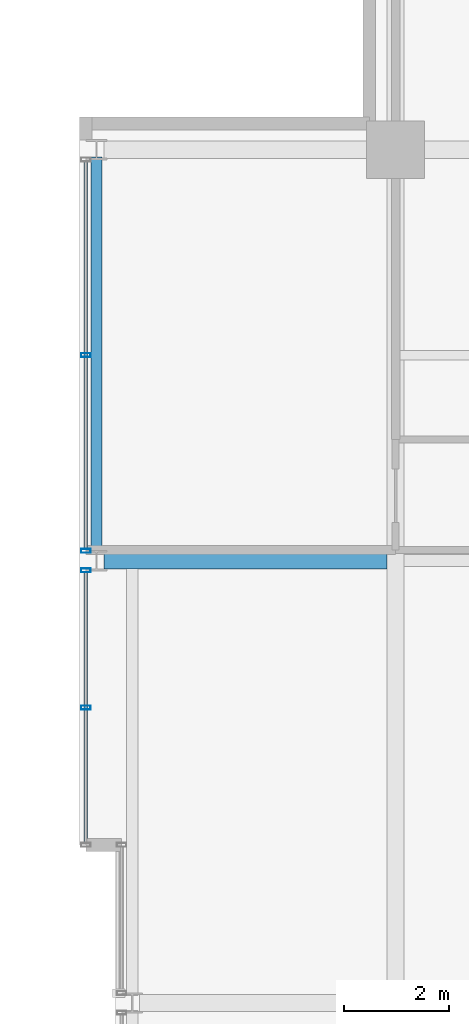
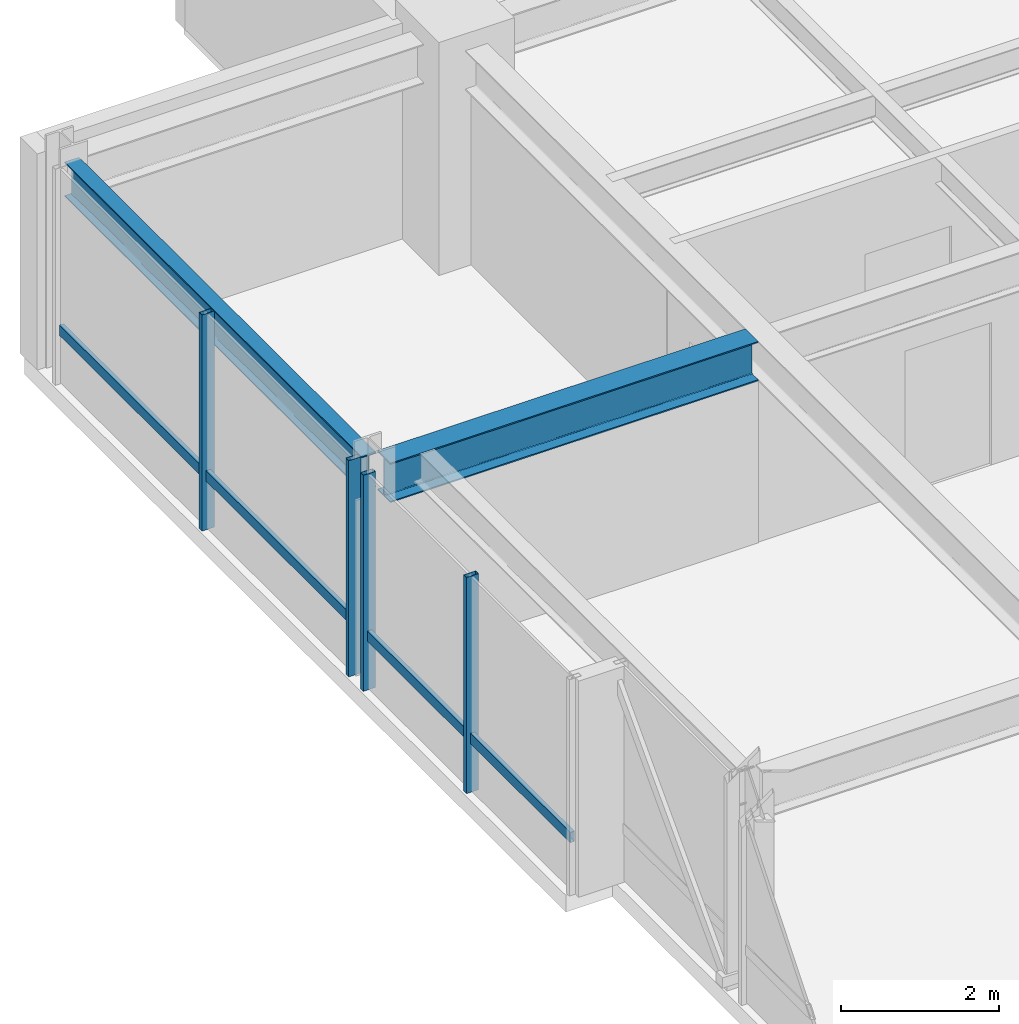
# One storey, part 17 of 32: 6 members, 2 beams, 2 elements without a shape of their own.
"""IFC4 building model written with IfcOpenShell, lengths in metres."""

import ifcopenshell
import ifcopenshell.guid

model = None  # the IFC model being written
_history = None  # IfcOwnerHistory: only IFC2X3 demands one
_inside = {}  # id of a spatial element -> (the spatial element, [elements in it])
_under = {}  # id of a project, library or spatial element -> (it, [spatial elements below it])
_declared = {}  # id of a project -> (the project, [libraries it declares])
_typed = {}  # id of a type object -> (the type object, [elements of that type])
_made_of = {}  # id of a material, layer set ... -> (it, [elements and type objects made of it])


def new_model(schema):
    """Start an empty IFC model of exactly this schema.

    Asked for "IFC4X3", IfcOpenShell would pick the latest addendum, in which some entities
    have other attributes; the version numbers below select the first issue.
    IFC2X3 requires an IfcOwnerHistory on every rooted entity: one is made here for all.
    """
    global model, _history
    if schema == "IFC4X3":
        model = ifcopenshell.file(schema_version=(4, 3, 0, 0))
    else:
        model = ifcopenshell.file(schema=schema)
    _inside.clear()
    _under.clear()
    _declared.clear()
    _typed.clear()
    _made_of.clear()
    _history = None
    if model.schema == "IFC2X3":
        org = make("IfcOrganization", Name="unknown")
        user = make(
            "IfcPersonAndOrganization",
            ThePerson=make("IfcPerson", FamilyName="unknown"),
            TheOrganization=org,
        )
        app = make(
            "IfcApplication",
            ApplicationDeveloper=org,
            Version="unknown",
            ApplicationFullName="unknown",
            ApplicationIdentifier="unknown",
        )
        _history = make(
            "IfcOwnerHistory",
            OwningUser=user,
            OwningApplication=app,
            ChangeAction="ADDED",
            CreationDate=0,
        )
    return model


def make(cls, **values):
    """One entity of the class cls with the attributes given. An attribute that is None is left unset."""
    return model.create_entity(
        cls, **{name: value for name, value in values.items() if value is not None}
    )


def rooted(cls, **values):
    """An entity with a GlobalId (a new one), such as an element, a storey or a relation."""
    return make(cls, GlobalId=ifcopenshell.guid.new(), OwnerHistory=_history, **values)


def si_unit(unit_type, name, prefix=None):
    """IfcSIUnit, for example si_unit("LENGTHUNIT", "METRE", prefix="MILLI")."""
    return make("IfcSIUnit", UnitType=unit_type, Prefix=prefix, Name=name)


def assignment(units):
    """IfcUnitAssignment: the units of a project."""
    return None if units is None else make("IfcUnitAssignment", Units=units)


def point(xyz):
    """IfcCartesianPoint."""
    return None if xyz is None else make("IfcCartesianPoint", Coordinates=xyz)


def direction(xyz):
    """IfcDirection."""
    return None if xyz is None else make("IfcDirection", DirectionRatios=xyz)


def frame(location, z_axis=None, x_axis=None):
    """IfcAxis2Placement3D, a coordinate frame: its origin and axes. An axis left out is left unset."""
    return make(
        "IfcAxis2Placement3D",
        Location=point(location),
        Axis=direction(z_axis),
        RefDirection=direction(x_axis),
    )


def frame_2d(location, x_axis=None):
    """IfcAxis2Placement2D, a coordinate frame in the plane: its origin and x axis."""
    return make(
        "IfcAxis2Placement2D", Location=point(location), RefDirection=direction(x_axis)
    )


def origin():
    """The frame at (0, 0, 0) with its axes left unset."""
    return frame((0.0, 0.0, 0.0))


def origin_2d():
    """The frame at (0, 0) in the plane with its x axis left unset."""
    return frame_2d((0.0, 0.0))


def place(relative_to, where):
    """IfcLocalPlacement: puts the frame where relative to a parent placement (None: the world)."""
    return make(
        "IfcLocalPlacement", PlacementRelTo=relative_to, RelativePlacement=where
    )


def context(
    kind, dimensions, precision=None, world=None, true_north=None, identifier=None
):
    """IfcGeometricRepresentationContext, for example the 3D "Model" context."""
    return make(
        "IfcGeometricRepresentationContext",
        ContextIdentifier=identifier,
        ContextType=kind,
        CoordinateSpaceDimension=dimensions,
        Precision=precision,
        WorldCoordinateSystem=world,
        TrueNorth=true_north,
    )


def subcontext(parent, identifier, kind, view, scale=None):
    """IfcGeometricRepresentationSubContext, for example "Body" below "Model"."""
    return make(
        "IfcGeometricRepresentationSubContext",
        ContextIdentifier=identifier,
        ContextType=kind,
        ParentContext=parent,
        TargetScale=scale,
        TargetView=view,
    )


def project(units=None, contexts=None):
    """IfcProject with its units and contexts."""
    return rooted(
        "IfcProject",
        Name="project",
        RepresentationContexts=contexts,
        UnitsInContext=assignment(units),
    )


def spatial(cls, under=None, at=None, **own):
    """A site, building, storey or space (cls), placed at a placement, below another one or the project."""
    s = rooted(cls, ObjectPlacement=at, **own)
    if under is not None:
        _under.setdefault(under.id(), (under, []))[1].append(s)
    return s


def profile(cls, at=None, kind="AREA", **sizes):
    """A parametric profile (cls). Its sizes go by their IFC names, for example OverallWidth=200.0."""
    return make(cls, ProfileType=kind, Position=at, **sizes)


def hollow_rectangle(**sizes):
    """IfcRectangleHollowProfileDef."""
    return profile("IfcRectangleHollowProfileDef", **sizes)


def i_section(**sizes):
    """IfcIShapeProfileDef."""
    return profile("IfcIShapeProfileDef", **sizes)


def extrude(swept, where, along, depth):
    """IfcExtrudedAreaSolid: the profile swept, set in the frame where, extruded along a direction by depth."""
    return make(
        "IfcExtrudedAreaSolid",
        SweptArea=swept,
        Position=where,
        ExtrudedDirection=direction(along),
        Depth=depth,
    )


def shape(context_of_items, identifier, shape_type, items):
    """IfcShapeRepresentation: the items that make up one representation, for example the "Body"."""
    return make(
        "IfcShapeRepresentation",
        ContextOfItems=context_of_items,
        RepresentationIdentifier=identifier,
        RepresentationType=shape_type,
        Items=items,
    )


def material(Name=None, Category=None):
    """IfcMaterial."""
    return make("IfcMaterial", Name=Name, Category=Category)


def layer(
    of_material, thickness, ventilated=None, Name=None, Category=None, Priority=None
):
    """IfcMaterialLayer: one layer of a wall or slab, of a material (None: an air gap)."""
    return make(
        "IfcMaterialLayer",
        Material=of_material,
        LayerThickness=thickness,
        IsVentilated=ventilated,
        Name=Name,
        Category=Category,
        Priority=Priority,
    )


def layer_set(layers, Name=None):
    """IfcMaterialLayerSet."""
    return make("IfcMaterialLayerSet", MaterialLayers=layers, LayerSetName=Name)


def material_profile(
    of_material, cross_section, Name=None, Category=None, Priority=None
):
    """IfcMaterialProfile: a cross section and its material."""
    return make(
        "IfcMaterialProfile",
        Name=Name,
        Material=of_material,
        Profile=cross_section,
        Priority=Priority,
        Category=Category,
    )


def profile_set(profiles, Name=None, composite=None):
    """IfcMaterialProfileSet."""
    return make(
        "IfcMaterialProfileSet",
        Name=Name,
        MaterialProfiles=profiles,
        CompositeProfile=composite,
    )


def made_of(thing, what):
    """Note that an element or type object is made of a material, layer set ...; save() writes the relation."""
    if what is not None:
        _made_of.setdefault(what.id(), (what, []))[1].append(thing)
    return thing


def type_object(cls, material=None, **own):
    """A type object (cls), such as IfcWallType, which elements share."""
    return made_of(rooted(cls, **own), material)


def element(
    cls,
    number,
    at=None,
    inside=None,
    cuts=None,
    type_object=None,
    material=None,
    context=None,
    identifier="Body",
    shape_type=None,
    held_by="IfcProductDefinitionShape",
    body=None,
    shapes=None,
    **own,
):
    """One element of the class cls, such as IfcWall. Its Tag is "e" and its number.

    at: its placement. inside: the storey or other place that contains it. cuts: it is an
    opening in that element (IfcRelVoidsElement). A single representation is given by context,
    identifier, shape_type and body (its items); several are given by shapes. held_by: the class
    of the entity that holds the representations. save() writes the other relations.
    """
    e = rooted(cls, Tag="e%d" % number, ObjectPlacement=at, **own)
    if body is not None:
        shapes = [shape(context, identifier, shape_type, body)]
    if shapes is not None:
        e.Representation = make(held_by, Representations=shapes)
    if inside is not None:
        _inside.setdefault(inside.id(), (inside, []))[1].append(e)
    if cuts is not None:
        rooted(
            "IfcRelVoidsElement", RelatingBuildingElement=cuts, RelatedOpeningElement=e
        )
    if type_object is not None:
        _typed.setdefault(type_object.id(), (type_object, []))[1].append(e)
    return made_of(e, material)


def aggregate(whole, parts):
    """IfcRelAggregates: a whole, such as a stair, and the parts it consists of."""
    return rooted("IfcRelAggregates", RelatingObject=whole, RelatedObjects=parts)


def save(model, path):
    """Write the relations noted so far, then the file.

    IfcRelAggregates (storeys below a building ...), IfcRelContainedInSpatialStructure (elements
    in a storey), IfcRelDefinesByType, IfcRelAssociatesMaterial and IfcRelDeclares: one each for
    every whole, place, type object, material and project.
    """
    for whole, parts in _under.values():
        aggregate(whole, parts)
    for where, things in _inside.values():
        rooted(
            "IfcRelContainedInSpatialStructure",
            RelatedElements=things,
            RelatingStructure=where,
        )
    for kind, things in _typed.values():
        rooted("IfcRelDefinesByType", RelatedObjects=things, RelatingType=kind)
    for what, things in _made_of.values():
        rooted("IfcRelAssociatesMaterial", RelatedObjects=things, RelatingMaterial=what)
    for by, libraries in _declared.values():
        rooted("IfcRelDeclares", RelatingContext=by, RelatedDefinitions=libraries)
    model.write(path)


model = new_model("IFC4")

# Units and contexts
model_context = context("Model", 3, precision=1e-05, world=origin(), true_north=direction((0.0, 1.0)))
body_context = subcontext(model_context, "Body", "Model", "MODEL_VIEW")
ifc_project = project(units=[si_unit("LENGTHUNIT", "METRE"), si_unit("AREAUNIT", "SQUARE_METRE"), si_unit("VOLUMEUNIT", "CUBIC_METRE"), si_unit("PLANEANGLEUNIT", "RADIAN"), si_unit("MASSUNIT", "GRAM", prefix="KILO")], contexts=[model_context])

# Site, building, storey
site_placement = place(None, origin())
site = spatial("IfcSite", under=ifc_project, at=site_placement, CompositionType="ELEMENT")
building_placement = place(site_placement, origin())
building = spatial("IfcBuilding", under=site, at=building_placement, Name="Drelvath Grand Hotel", CompositionType="ELEMENT")
storey_placement = place(building_placement, frame((0.0, 0.0, 233.89990234375)))
storey = spatial("IfcBuildingStorey", under=building, at=storey_placement, Name="L61", CompositionType="ELEMENT", Elevation=233.89990234375)

# Curtain wall, member
ifc_material_1 = material(Name="Platinum-Mist Anodised Aluminium Frame", Category="aluminium")
ifc_layer = layer(ifc_material_1, 0.199951171875)
ifc_layer_set = layer_set([ifc_layer], Name="Platinum-Mist Anodised Aluminium Frame")
curtain_wall_type = type_object("IfcCurtainWallType", Name="Stick Curtain Wall CW-05 Platinum Mist High-Rise", PredefinedType="NOTDEFINED", material=ifc_layer_set)
curtain_wall_1_placement = place(storey_placement, origin())
curtain_wall_1 = element("IfcCurtainWall", 1, at=curtain_wall_1_placement, inside=storey, type_object=curtain_wall_type, Name="L61 CW-05 Curtain Wall CW05-L61-WN1", PredefinedType="NOTDEFINED")
ifc_material_profile_1 = material_profile(ifc_material_1, hollow_rectangle(XDim=0.06494140625, YDim=0.159912109375, WallThickness=0.00390625, at=origin_2d()), Name="HSS160X65X4")
ifc_profile_set_1 = profile_set([ifc_material_profile_1], Name="Platinum-Mist Anodised Aluminium Frame")
member_type_1 = type_object("IfcMemberType", Name="Curtain Wall Horizontal Transom CW-05 HSS160X65X4", PredefinedType="USERDEFINED", material=ifc_profile_set_1)
member_1_placement = place(storey_placement, frame((-22.080078125, 30.0400390625, 0.835205078125), z_axis=(0.0, 1.0, 0.0), x_axis=(-1.0, 0.0, 0.0)))
member_1 = element("IfcMember", 2, at=member_1_placement, type_object=member_type_1, Name="CW05-L61-WN1 Sill Transom", ObjectType="TRANSOM", PredefinedType="USERDEFINED", context=body_context, shape_type="SweptSolid", body=[
    extrude(hollow_rectangle(XDim=0.06494140625, YDim=0.159912109375, WallThickness=0.00390625, at=origin_2d()), origin(), (0.0, 0.0, 1.0), 5.134765625),
])

curtain_wall_2_placement = place(storey_placement, origin())
curtain_wall_2 = element("IfcCurtainWall", 3, at=curtain_wall_2_placement, inside=storey, type_object=curtain_wall_type, Name="L61 CW-05 Curtain Wall CW05-L61-WN2", PredefinedType="NOTDEFINED")
member_2_placement = place(storey_placement, frame((-22.080078125, 35.625244140625, 0.835205078125), z_axis=(0.0, 1.0, 0.0), x_axis=(-1.0, 0.0, 0.0)))
member_2 = element("IfcMember", 4, at=member_2_placement, type_object=member_type_1, Name="CW05-L61-WN2 Sill Transom", ObjectType="TRANSOM", PredefinedType="USERDEFINED", context=body_context, shape_type="SweptSolid", body=[
    extrude(hollow_rectangle(XDim=0.06494140625, YDim=0.159912109375, WallThickness=0.00390625, at=origin_2d()), origin(), (0.0, 0.0, 1.0), 7.349365234375),
])

# Member
ifc_material_profile_2 = material_profile(ifc_material_1, hollow_rectangle(XDim=0.074951171875, YDim=0.179931640625, WallThickness=0.0048828125, at=origin_2d()), Name="HSS180X75X5")
ifc_profile_set_2 = profile_set([ifc_material_profile_2], Name="Platinum-Mist Anodised Aluminium Frame")
member_type_2 = type_object("IfcMemberType", Name="Curtain Wall Vertical Mullion CW-05 HSS180X75X5", PredefinedType="MULLION", material=ifc_profile_set_2)
member_3_placement = place(storey_placement, frame((-22.080078125, 32.607421875, 0.0), z_axis=(0.0, 0.0, 1.0), x_axis=(0.0, 1.0, 0.0)))
member_3 = element("IfcMember", 5, at=member_3_placement, type_object=member_type_2, Name="CW05-L61-WN1 Mullion 2", PredefinedType="MULLION", context=body_context, shape_type="SweptSolid", body=[
    extrude(hollow_rectangle(XDim=0.074951171875, YDim=0.179931640625, WallThickness=0.0048828125, at=origin_2d()), origin(), (0.0, 0.0, 1.0), 3.340087890625),
])

member_4_placement = place(storey_placement, frame((-22.080078125, 35.214599609375, 0.0), z_axis=(0.0, 0.0, 1.0), x_axis=(0.0, 1.0, 0.0)))
member_4 = element("IfcMember", 6, at=member_4_placement, type_object=member_type_2, Name="CW05-L61-WN1 Mullion 3", PredefinedType="MULLION", context=body_context, shape_type="SweptSolid", body=[
    extrude(hollow_rectangle(XDim=0.074951171875, YDim=0.179931640625, WallThickness=0.0048828125, at=origin_2d()), origin(), (0.0, 0.0, 1.0), 3.340087890625),
])

aggregate(curtain_wall_1, [member_3, member_4, member_1])

member_5_placement = place(storey_placement, frame((-22.080078125, 35.585205078125, 0.0), z_axis=(0.0, 0.0, 1.0), x_axis=(0.0, 1.0, 0.0)))
member_5 = element("IfcMember", 7, at=member_5_placement, type_object=member_type_2, Name="CW05-L61-WN2 Mullion 1", PredefinedType="MULLION", context=body_context, shape_type="SweptSolid", body=[
    extrude(hollow_rectangle(XDim=0.074951171875, YDim=0.179931640625, WallThickness=0.0048828125, at=origin_2d()), origin(), (0.0, 0.0, 1.0), 3.340087890625),
])

member_6_placement = place(storey_placement, frame((-22.080078125, 39.300048828125, 0.0), z_axis=(0.0, 0.0, 1.0), x_axis=(0.0, 1.0, 0.0)))
member_6 = element("IfcMember", 8, at=member_6_placement, type_object=member_type_2, Name="CW05-L61-WN2 Mullion 2", PredefinedType="MULLION", context=body_context, shape_type="SweptSolid", body=[
    extrude(hollow_rectangle(XDim=0.074951171875, YDim=0.179931640625, WallThickness=0.0048828125, at=origin_2d()), origin(), (0.0, 0.0, 1.0), 3.340087890625),
])

aggregate(curtain_wall_2, [member_5, member_6, member_2])

# Beams
ifc_material_2 = material(Name="Steel ASTM A992 Gr 50", Category="steel")
ifc_material_profile_3 = material_profile(ifc_material_2, i_section(OverallWidth=0.210205078125, OverallDepth=0.53662109375, WebThickness=0.010986328125, FlangeThickness=0.017333984375, FilletRadius=0.01806640625, at=origin_2d()), Name="W21X68")
ifc_profile_set_3 = profile_set([ifc_material_profile_3], Name="Steel ASTM A992 Gr 50")
beam_type_1 = type_object("IfcBeamType", Name="Perimeter Spandrel Beam W21X68", PredefinedType="SPANDREL", material=ifc_profile_set_3)
beam_1_placement = place(storey_placement, frame((-21.8798828125, 35.5400390625, 3.07177734375), z_axis=(0.0, 1.0, 0.0), x_axis=(-1.0, 0.0, 0.0)))
element("IfcBeam", 9, at=beam_1_placement, inside=storey, type_object=beam_type_1, Name="L61 Spandrel West N", PredefinedType="SPANDREL", context=body_context, shape_type="SweptSolid", body=[
    extrude(i_section(OverallWidth=0.210205078125, OverallDepth=0.53662109375, WebThickness=0.010986328125, FlangeThickness=0.017333984375, FilletRadius=0.01806640625, at=origin_2d()), origin(), (0.0, 0.0, 1.0), 7.52001953125),
])
ifc_material_profile_4 = material_profile(ifc_material_2, i_section(OverallWidth=0.323974609375, OverallDepth=0.611083984375, WebThickness=0.0126953125, FlangeThickness=0.01904296875, FilletRadius=0.02197265625, at=origin_2d()), Name="W24X104")
ifc_profile_set_4 = profile_set([ifc_material_profile_4], Name="Steel ASTM A992 Gr 50")
beam_type_2 = type_object("IfcBeamType", Name="Primary Floor Girder W24X104", PredefinedType="BEAM", material=ifc_profile_set_4)
beam_2_placement = place(storey_placement, frame((-21.739990234375, 35.39990234375, 3.034423828125), z_axis=(1.0, 0.0, 0.0), x_axis=(0.0, 1.0, 0.0)))
element("IfcBeam", 10, at=beam_2_placement, inside=storey, type_object=beam_type_2, Name="L61 West Wing Girder F", PredefinedType="BEAM", context=body_context, shape_type="SweptSolid", body=[
    extrude(i_section(OverallWidth=0.323974609375, OverallDepth=0.611083984375, WebThickness=0.0126953125, FlangeThickness=0.01904296875, FilletRadius=0.02197265625, at=origin_2d()), origin(), (0.0, 0.0, 1.0), 5.3779296875),
])

save(model, "model.ifc")
